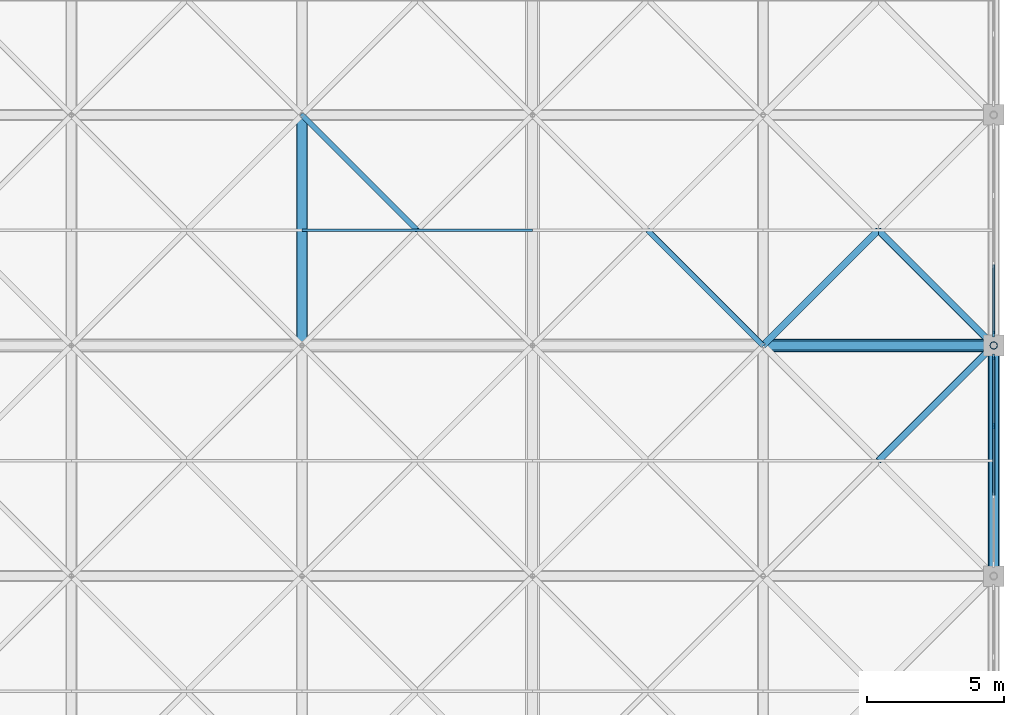
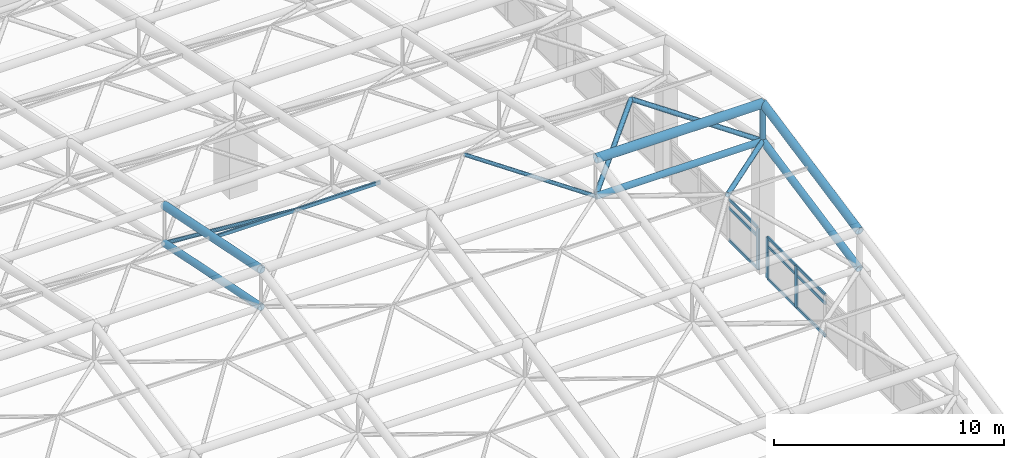
# One storey, part 61 of 110: 25 members, 2 elements without a shape of their own.
"""IFC4 building model written with IfcOpenShell, lengths in metres."""

from ifc_helpers import new_model, si_unit, direction, frame, origin, origin_2d, place, context, subcontext, project, spatial, rectangle, hollow_rectangle, hollow_circle, extrude, material, layer, layer_set, material_profile, profile_set, type_object, element, aggregate, save


model = new_model("IFC4")

# Units and contexts
model_context = context("Model", 3, precision=1e-05, world=origin(), true_north=direction((0.0, 1.0)))
body_context = subcontext(model_context, "Body", "Model", "MODEL_VIEW")
ifc_project = project(units=[si_unit("LENGTHUNIT", "METRE"), si_unit("AREAUNIT", "SQUARE_METRE"), si_unit("VOLUMEUNIT", "CUBIC_METRE"), si_unit("PLANEANGLEUNIT", "RADIAN"), si_unit("MASSUNIT", "GRAM", prefix="KILO")], contexts=[model_context])

# Site, building, storey
site_placement = place(None, origin())
site = spatial("IfcSite", under=ifc_project, at=site_placement, CompositionType="ELEMENT")
building_placement = place(site_placement, origin())
building = spatial("IfcBuilding", under=site, at=building_placement, Name="Qawsi Khor Wholesale Market", CompositionType="ELEMENT")
storey_placement = place(building_placement, frame((0.0, 0.0, 11.39990234375)))
storey = spatial("IfcBuildingStorey", under=building, at=storey_placement, Name="L02", CompositionType="ELEMENT", Elevation=11.39990234375)

# Curtain wall, members
ifc_material_1 = material(Name="Aluminium Anodised Bronze", Category="aluminium")
ifc_layer = layer(ifc_material_1, 0.199951171875, Name="Aluminium Anodised Bronze")
ifc_layer_set = layer_set([ifc_layer], Name="Aluminium Anodised Bronze")
curtain_wall_type = type_object("IfcCurtainWallType", Name="Trading Hall North-Light Curtain Wall CW-03", PredefinedType="NOTDEFINED", material=ifc_layer_set)
curtain_wall_1_placement = place(storey_placement, origin())
curtain_wall_1 = element("IfcCurtainWall", 1, at=curtain_wall_1_placement, inside=storey, type_object=curtain_wall_type, Name="Curtain wall CW-CW-03-L02-136", PredefinedType="NOTDEFINED")
ifc_material_profile_1 = material_profile(ifc_material_1, rectangle(XDim=0.074951171875, YDim=0.219970703125, at=origin_2d()), Name="ALU MULLION 75x220")
ifc_profile_set_1 = profile_set([ifc_material_profile_1], Name="Aluminium Anodised Bronze")
member_type_1 = type_object("IfcMemberType", Name="Curtain Wall Mullion CW-03 ALU MULLION 75x220", PredefinedType="MULLION", material=ifc_profile_set_1)
member_1_placement = place(storey_placement, frame((218.39990234375, 72.6591796875, -0.289794921875), z_axis=(0.0, 0.0, 1.0), x_axis=(1.0, 0.0, 0.0)))
member_1 = element("IfcMember", 2, at=member_1_placement, type_object=member_type_1, Name="Mullion CW-CW-03-L02-136-M02", PredefinedType="MULLION", context=body_context, shape_type="SweptSolid", body=[
    extrude(rectangle(XDim=0.074951171875, YDim=0.219970703125, at=origin_2d()), origin(), (0.0, 0.0, 1.0), 2.18994140625),
])
member_2_placement = place(storey_placement, frame((218.39990234375, 75.177490234375, -0.289794921875), z_axis=(0.0, 0.0, 1.0), x_axis=(1.0, 0.0, 0.0)))
member_2 = element("IfcMember", 3, at=member_2_placement, type_object=member_type_1, Name="Mullion CW-CW-03-L02-136-M03", PredefinedType="MULLION", context=body_context, shape_type="SweptSolid", body=[
    extrude(rectangle(XDim=0.074951171875, YDim=0.219970703125, at=origin_2d()), origin(), (0.0, 0.0, 1.0), 2.18994140625),
])

# Curtain wall, member
curtain_wall_2_placement = place(storey_placement, origin())
curtain_wall_2 = element("IfcCurtainWall", 4, at=curtain_wall_2_placement, inside=storey, type_object=curtain_wall_type, Name="Curtain wall CW-CW-03-L02-138", PredefinedType="NOTDEFINED")
member_3_placement = place(storey_placement, frame((218.39990234375, 76.0224609375, -0.289794921875), z_axis=(0.0, 0.0, 1.0), x_axis=(1.0, 0.0, 0.0)))
member_3 = element("IfcMember", 5, at=member_3_placement, type_object=member_type_1, Name="Mullion CW-CW-03-L02-138-M00", PredefinedType="MULLION", context=body_context, shape_type="SweptSolid", body=[
    extrude(rectangle(XDim=0.074951171875, YDim=0.219970703125, at=origin_2d()), origin(), (0.0, 0.0, 1.0), 2.18994140625),
])

# Member
ifc_material_profile_2 = material_profile(ifc_material_1, rectangle(XDim=0.070068359375, YDim=0.14990234375, at=origin_2d()), Name="ALU TRANSOM 70x150")
ifc_profile_set_2 = profile_set([ifc_material_profile_2], Name="Aluminium Anodised Bronze")
member_type_2 = type_object("IfcMemberType", Name="Curtain Wall Transom CW-03 ALU TRANSOM 70x150", PredefinedType="USERDEFINED", material=ifc_profile_set_2)
member_4_placement = place(storey_placement, frame((218.39990234375, 70.140869140625, -0.27001953125), z_axis=(0.0, 1.0, 0.0), x_axis=(-1.0, 0.0, 0.0)))
member_4 = element("IfcMember", 6, at=member_4_placement, type_object=member_type_2, Name="Transom CW-CW-03-L02-136-T0_01", ObjectType="TRANSOM", PredefinedType="USERDEFINED", context=body_context, shape_type="SweptSolid", body=[
    extrude(rectangle(XDim=0.070068359375, YDim=0.14990234375, at=origin_2d()), origin(), (0.0, 0.0, 1.0), 2.518310546875),
])

member_5_placement = place(storey_placement, frame((218.39990234375, 72.6591796875, -0.27001953125), z_axis=(0.0, 1.0, 0.0), x_axis=(-1.0, 0.0, 0.0)))
member_5 = element("IfcMember", 7, at=member_5_placement, type_object=member_type_2, Name="Transom CW-CW-03-L02-136-T0_02", ObjectType="TRANSOM", PredefinedType="USERDEFINED", context=body_context, shape_type="SweptSolid", body=[
    extrude(rectangle(XDim=0.070068359375, YDim=0.14990234375, at=origin_2d()), origin(), (0.0, 0.0, 1.0), 2.518310546875),
])

member_6_placement = place(storey_placement, frame((218.39990234375, 70.140869140625, 1.4501953125), z_axis=(0.0, 1.0, 0.0), x_axis=(-1.0, 0.0, 0.0)))
member_6 = element("IfcMember", 8, at=member_6_placement, type_object=member_type_2, Name="Transom CW-CW-03-L02-136-T1_01", ObjectType="TRANSOM", PredefinedType="USERDEFINED", context=body_context, shape_type="SweptSolid", body=[
    extrude(rectangle(XDim=0.070068359375, YDim=0.14990234375, at=origin_2d()), origin(), (0.0, 0.0, 1.0), 2.518310546875),
])

member_7_placement = place(storey_placement, frame((218.39990234375, 72.6591796875, 1.4501953125), z_axis=(0.0, 1.0, 0.0), x_axis=(-1.0, 0.0, 0.0)))
member_7 = element("IfcMember", 9, at=member_7_placement, type_object=member_type_2, Name="Transom CW-CW-03-L02-136-T1_02", ObjectType="TRANSOM", PredefinedType="USERDEFINED", context=body_context, shape_type="SweptSolid", body=[
    extrude(rectangle(XDim=0.070068359375, YDim=0.14990234375, at=origin_2d()), origin(), (0.0, 0.0, 1.0), 2.518310546875),
])

member_8_placement = place(storey_placement, frame((218.39990234375, 70.140869140625, 1.900146484375), z_axis=(0.0, 1.0, 0.0), x_axis=(-1.0, 0.0, 0.0)))
member_8 = element("IfcMember", 10, at=member_8_placement, type_object=member_type_2, Name="Transom CW-CW-03-L02-136-T2_01", ObjectType="TRANSOM", PredefinedType="USERDEFINED", context=body_context, shape_type="SweptSolid", body=[
    extrude(rectangle(XDim=0.070068359375, YDim=0.14990234375, at=origin_2d()), origin(), (0.0, 0.0, 1.0), 2.518310546875),
])

member_9_placement = place(storey_placement, frame((218.39990234375, 72.6591796875, 1.900146484375), z_axis=(0.0, 1.0, 0.0), x_axis=(-1.0, 0.0, 0.0)))
member_9 = element("IfcMember", 11, at=member_9_placement, type_object=member_type_2, Name="Transom CW-CW-03-L02-136-T2_02", ObjectType="TRANSOM", PredefinedType="USERDEFINED", context=body_context, shape_type="SweptSolid", body=[
    extrude(rectangle(XDim=0.070068359375, YDim=0.14990234375, at=origin_2d()), origin(), (0.0, 0.0, 1.0), 2.518310546875),
])

aggregate(curtain_wall_1, [member_1, member_2, member_4, member_5, member_6, member_7, member_8, member_9])

member_10_placement = place(storey_placement, frame((218.39990234375, 76.0224609375, -0.27001953125), z_axis=(0.0, 1.0, 0.0), x_axis=(-1.0, 0.0, 0.0)))
member_10 = element("IfcMember", 12, at=member_10_placement, type_object=member_type_2, Name="Transom CW-CW-03-L02-138-T0_00", ObjectType="TRANSOM", PredefinedType="USERDEFINED", context=body_context, shape_type="SweptSolid", body=[
    extrude(rectangle(XDim=0.070068359375, YDim=0.14990234375, at=origin_2d()), origin(), (0.0, 0.0, 1.0), 2.518310546875),
])

member_11_placement = place(storey_placement, frame((218.39990234375, 76.0224609375, 1.4501953125), z_axis=(0.0, 1.0, 0.0), x_axis=(-1.0, 0.0, 0.0)))
member_11 = element("IfcMember", 13, at=member_11_placement, type_object=member_type_2, Name="Transom CW-CW-03-L02-138-T1_00", ObjectType="TRANSOM", PredefinedType="USERDEFINED", context=body_context, shape_type="SweptSolid", body=[
    extrude(rectangle(XDim=0.070068359375, YDim=0.14990234375, at=origin_2d()), origin(), (0.0, 0.0, 1.0), 2.518310546875),
])

member_12_placement = place(storey_placement, frame((218.39990234375, 76.0224609375, 1.900146484375), z_axis=(0.0, 1.0, 0.0), x_axis=(-1.0, 0.0, 0.0)))
member_12 = element("IfcMember", 14, at=member_12_placement, type_object=member_type_2, Name="Transom CW-CW-03-L02-138-T2_00", ObjectType="TRANSOM", PredefinedType="USERDEFINED", context=body_context, shape_type="SweptSolid", body=[
    extrude(rectangle(XDim=0.070068359375, YDim=0.14990234375, at=origin_2d()), origin(), (0.0, 0.0, 1.0), 2.518310546875),
])

aggregate(curtain_wall_2, [member_3, member_10, member_11, member_12])

# Members
ifc_material_2 = material(Name="Steel S355", Category="steel")
ifc_material_profile_3 = material_profile(ifc_material_2, hollow_circle(Radius=0.177734375, WallThickness=0.01611328125, at=origin_2d()), Name="CHS 355.6x16.0")
ifc_profile_set_3 = profile_set([ifc_material_profile_3], Name="Steel S355")
member_type_3 = type_object("IfcMemberType", Name="Space-Frame Bottom Chord CHS 355.6x16.0", PredefinedType="CHORD", material=ifc_profile_set_3)
for number, where, z_axis, x_axis, name in (
    (15, (193.199951171875, 75.60009765625, 6.77001953125), (0.0, 0.980129990483, -0.1983562496), (-1.0, 0.0, 0.0), "Space frame bottom chord Y EH (23,9)"),
    (16, (218.39990234375, 67.199951171875, 5.070068359375), (0.0, 0.98013111127, 0.198350711418), (-1.0, 0.0, 0.0), "Space frame bottom chord Y EH (26,8)"),
):
    element("IfcMember", number, at=place(storey_placement, frame(where, z_axis=z_axis, x_axis=x_axis)), inside=storey, type_object=member_type_3, Name=name, PredefinedType="CHORD", context=body_context, shape_type="SweptSolid", body=[
        extrude(hollow_circle(Radius=0.177734375, WallThickness=0.01611328125, at=origin_2d()), origin(), (0.0, 0.0, 1.0), 8.5703125),
    ])
ifc_material_profile_4 = material_profile(ifc_material_2, hollow_circle(Radius=0.136474609375, WallThickness=0.012451171875, at=origin_2d()), Name="CHS 273.0x12.5")
ifc_profile_set_4 = profile_set([ifc_material_profile_4], Name="Steel S355")
member_type_4 = type_object("IfcMemberType", Name="Space-Frame Edge Post CHS 273.0x12.5", PredefinedType="POST", material=ifc_profile_set_4)
member_13_placement = place(storey_placement, frame((218.39990234375, 75.60009765625, 6.77001953125), z_axis=(0.0, 0.0, 1.0), x_axis=(1.0, 0.0, 0.0)))
element("IfcMember", 17, at=member_13_placement, inside=storey, type_object=member_type_4, Name="Space frame post EH (26,9)", PredefinedType="POST", context=body_context, shape_type="SweptSolid", body=[
    extrude(hollow_circle(Radius=0.136474609375, WallThickness=0.012451171875, at=origin_2d()), origin(), (0.0, 0.0, 1.0), 2.0),
])
ifc_material_profile_5 = material_profile(ifc_material_2, hollow_circle(Radius=0.122314453125, WallThickness=0.012451171875, at=origin_2d()), Name="CHS 244.5x12.5")
ifc_profile_set_5 = profile_set([ifc_material_profile_5], Name="Steel S355")
member_type_5 = type_object("IfcMemberType", Name="Space-Frame Heavy Diagonal CHS 244.5x12.5", PredefinedType="POST", material=ifc_profile_set_5)
for number, where, z_axis, x_axis, name in (
    (18, (218.39990234375, 75.60009765625, 6.77001953125), (-0.694191941586, -0.694232294544, 0.190102786538), (0.707127332136, -0.70708622964, 0.0), "Space frame diagonal EH (25,8)-3"),
    (19, (210.0, 75.60009765625, 6.77001953125), (0.694211389158, 0.694211389158, 0.190108112208), (-0.707106781187, 0.707106781187, 0.0), "Space frame diagonal EH (25,9)-1"),
    (20, (218.39990234375, 75.60009765625, 6.77001953125), (-0.694211389158, 0.694211389158, 0.190108112208), (-0.707106781187, -0.707106781187, 0.0), "Space frame diagonal EH (25,9)-2"),
):
    element("IfcMember", number, at=place(storey_placement, frame(where, z_axis=z_axis, x_axis=x_axis)), inside=storey, type_object=member_type_5, Name=name, PredefinedType="POST", context=body_context, shape_type="SweptSolid", body=[
        extrude(hollow_circle(Radius=0.122314453125, WallThickness=0.012451171875, at=origin_2d()), origin(), (0.0, 0.0, 1.0), 6.050048828125),
    ])
ifc_material_profile_6 = material_profile(ifc_material_2, hollow_rectangle(XDim=0.10009765625, YDim=0.199951171875, WallThickness=0.008056640625, InnerFilletRadius=0.008056640625, OuterFilletRadius=0.01611328125, at=origin_2d()), Name="RHS 200x100x8.0")
ifc_profile_set_6 = profile_set([ifc_material_profile_6], Name="Steel S355")
member_type_6 = type_object("IfcMemberType", Name="Space-Frame Purlin RHS 200x100x8.0", PredefinedType="PURLIN", material=ifc_profile_set_6)
member_14_placement = place(storey_placement, frame((193.199951171875, 79.800048828125, 7.920166015625), z_axis=(1.0, 0.0, 0.0), x_axis=(0.0, 1.0, 0.0)))
element("IfcMember", 21, at=member_14_placement, inside=storey, type_object=member_type_6, Name="Space frame purlin EH (23,9)", PredefinedType="PURLIN", context=body_context, shape_type="SweptSolid", body=[
    extrude(hollow_rectangle(XDim=0.10009765625, YDim=0.199951171875, WallThickness=0.008056640625, InnerFilletRadius=0.008056640625, OuterFilletRadius=0.01611328125, at=origin_2d()), origin(), (0.0, 0.0, 1.0), 8.400146484375),
])
ifc_material_profile_7 = material_profile(ifc_material_2, hollow_circle(Radius=0.228515625, WallThickness=0.02001953125, at=origin_2d()), Name="CHS 457.0x20.0")
ifc_profile_set_7 = profile_set([ifc_material_profile_7], Name="Steel S355")
member_type_7 = type_object("IfcMemberType", Name="Space-Frame Ridge Chord CHS 457.0x20.0", PredefinedType="CHORD", material=ifc_profile_set_7)
member_15_placement = place(storey_placement, frame((210.0, 75.60009765625, 8.77001953125), z_axis=(1.0, 0.0, 0.0), x_axis=(0.0, 1.0, 0.0)))
element("IfcMember", 22, at=member_15_placement, inside=storey, type_object=member_type_7, Name="Space frame top chord X EH (25,9)", PredefinedType="CHORD", context=body_context, shape_type="SweptSolid", body=[
    extrude(hollow_circle(Radius=0.228515625, WallThickness=0.02001953125, at=origin_2d()), origin(), (0.0, 0.0, 1.0), 8.39990234375),
])
ifc_material_profile_8 = material_profile(ifc_material_2, hollow_circle(Radius=0.161865234375, WallThickness=0.01611328125, at=origin_2d()), Name="CHS 323.9x16.0")
ifc_profile_set_8 = profile_set([ifc_material_profile_8], Name="Steel S355")
member_type_8 = type_object("IfcMemberType", Name="Space-Frame Secondary Chord CHS 323.9x16.0", PredefinedType="CHORD", material=ifc_profile_set_8)
member_16_placement = place(storey_placement, frame((210.0, 75.60009765625, 6.77001953125), z_axis=(1.0, 0.0, 0.0), x_axis=(0.0, 1.0, 0.0)))
element("IfcMember", 23, at=member_16_placement, inside=storey, type_object=member_type_8, Name="Space frame bottom chord X EH (25,9)", PredefinedType="CHORD", context=body_context, shape_type="SweptSolid", body=[
    extrude(hollow_circle(Radius=0.161865234375, WallThickness=0.01611328125, at=origin_2d()), origin(), (0.0, 0.0, 1.0), 8.39990234375),
])
ifc_material_profile_9 = material_profile(ifc_material_2, hollow_circle(Radius=0.096923828125, WallThickness=0.008056640625, at=origin_2d()), Name="CHS 193.7x8.0")
ifc_profile_set_9 = profile_set([ifc_material_profile_9], Name="Steel S355")
member_type_9 = type_object("IfcMemberType", Name="Space-Frame Secondary Diagonal CHS 193.7x8.0", PredefinedType="RAFTER", material=ifc_profile_set_9)
member_17_placement = place(storey_placement, frame((193.199951171875, 84.0, 5.070068359375), z_axis=(0.637511741089, -0.637511741089, 0.432617105474), x_axis=(0.707106781187, 0.707106781187, 0.0)))
element("IfcMember", 24, at=member_17_placement, inside=storey, type_object=member_type_9, Name="Space frame diagonal EH (23,9)-4", PredefinedType="RAFTER", context=body_context, shape_type="SweptSolid", body=[
    extrude(hollow_circle(Radius=0.096923828125, WallThickness=0.008056640625, at=origin_2d()), origin(), (0.0, 0.0, 1.0), 6.588134765625),
])
member_18_placement = place(storey_placement, frame((210.0, 75.60009765625, 6.77001953125), z_axis=(-0.694211389158, 0.694211389158, 0.190108112208), x_axis=(-0.707106781187, -0.707106781187, 0.0)))
element("IfcMember", 25, at=member_18_placement, inside=storey, type_object=member_type_9, Name="Space frame diagonal EH (24,9)-2", PredefinedType="RAFTER", context=body_context, shape_type="SweptSolid", body=[
    extrude(hollow_circle(Radius=0.096923828125, WallThickness=0.008056640625, at=origin_2d()), origin(), (0.0, 0.0, 1.0), 6.050048828125),
])
ifc_material_profile_10 = material_profile(ifc_material_2, hollow_circle(Radius=0.203125, WallThickness=0.02001953125, at=origin_2d()), Name="CHS 406.4x20.0")
ifc_profile_set_10 = profile_set([ifc_material_profile_10], Name="Steel S355")
member_type_10 = type_object("IfcMemberType", Name="Space-Frame Top Chord CHS 406.4x20.0", PredefinedType="CHORD", material=ifc_profile_set_10)
for number, where, z_axis, x_axis, name in (
    (26, (193.199951171875, 75.60009765625, 8.77001953125), (0.0, 0.980129990483, -0.1983562496), (-1.0, 0.0, 0.0), "Space frame top chord Y EH (23,9)"),
    (27, (218.39990234375, 67.199951171875, 7.070068359375), (0.0, 0.98013111127, 0.198350711418), (-1.0, 0.0, 0.0), "Space frame top chord Y EH (26,8)"),
):
    element("IfcMember", number, at=place(storey_placement, frame(where, z_axis=z_axis, x_axis=x_axis)), inside=storey, type_object=member_type_10, Name=name, PredefinedType="CHORD", context=body_context, shape_type="SweptSolid", body=[
        extrude(hollow_circle(Radius=0.203125, WallThickness=0.02001953125, at=origin_2d()), origin(), (0.0, 0.0, 1.0), 8.5703125),
    ])

save(model, "model.ifc")
